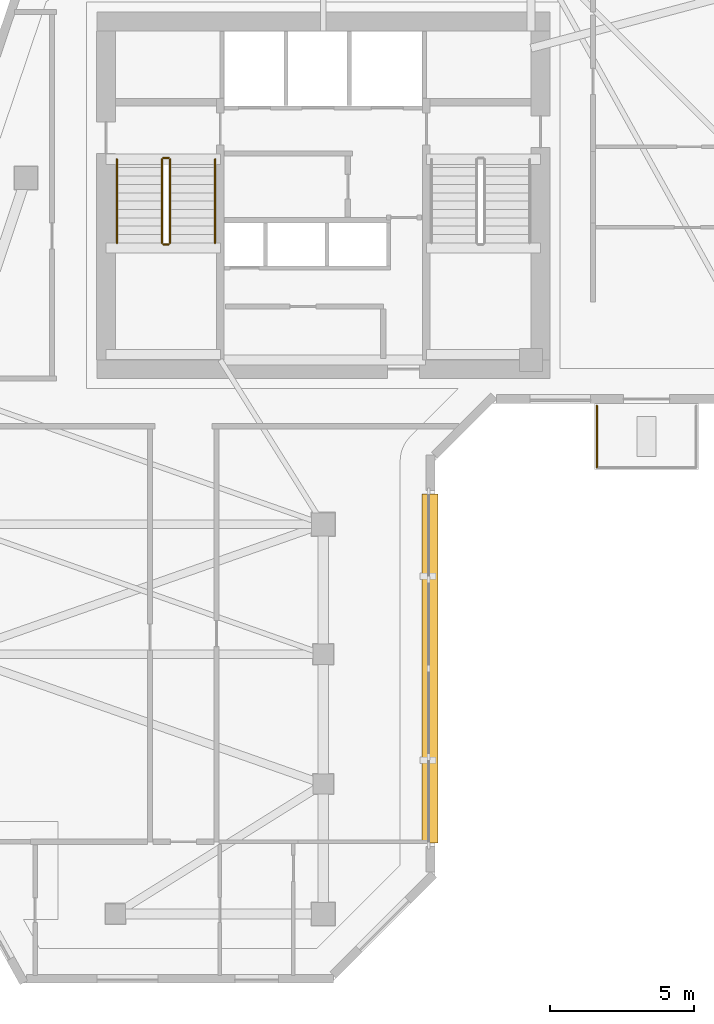
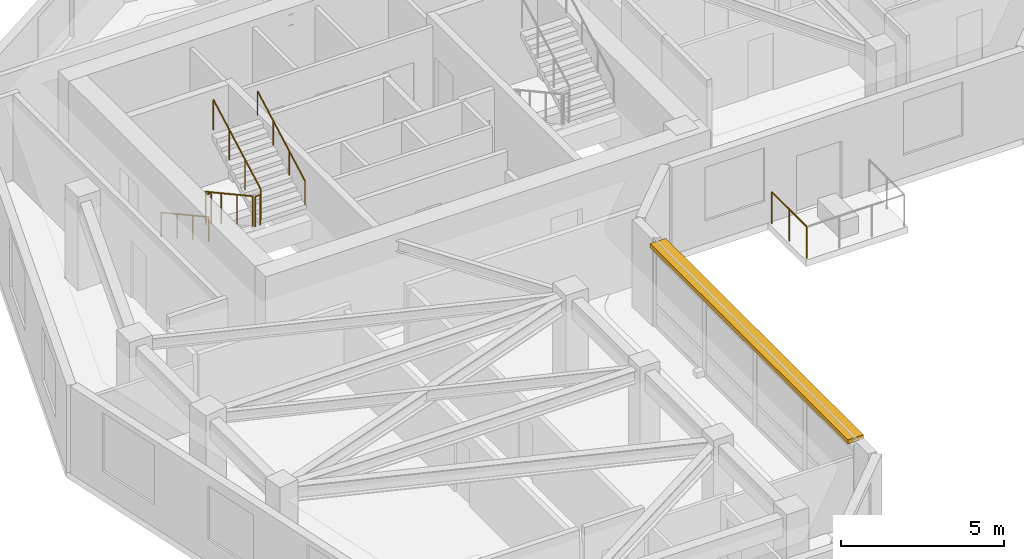
# One storey, part 7 of 9: 7 railings, 1 shading device.
"""IFC4 building model written with IfcOpenShell, lengths in metres."""

from ifc_helpers import new_model, si_unit, direction, frame, frame_2d, origin, origin_2d, place, context, subcontext, project, spatial, rectangle, circle, extrude, material, type_object, element, save


model = new_model("IFC4")

# Units and contexts
model_context = context("Model", 3, precision=1e-05, world=origin(), true_north=direction((0.0, 1.0)))
body_context = subcontext(model_context, "Body", "Model", "MODEL_VIEW")
ifc_project = project(units=[si_unit("LENGTHUNIT", "METRE"), si_unit("AREAUNIT", "SQUARE_METRE"), si_unit("VOLUMEUNIT", "CUBIC_METRE"), si_unit("PLANEANGLEUNIT", "RADIAN"), si_unit("MASSUNIT", "GRAM", prefix="KILO")], contexts=[model_context])

# Site, building, storey
site_placement = place(None, origin())
site = spatial("IfcSite", under=ifc_project, at=site_placement, CompositionType="ELEMENT")
building_placement = place(site_placement, origin())
building = spatial("IfcBuilding", under=site, at=building_placement, Name="Calvemar Wedge Station Tower", CompositionType="ELEMENT")
storey_placement = place(building_placement, frame((0.0, 0.0, 225.39990234375)))
storey = spatial("IfcBuildingStorey", under=building, at=storey_placement, Name="L57", CompositionType="ELEMENT", Elevation=225.39990234375)

# Railings
ifc_material_1 = material(Name="Stainless steel AISI 316L", Category="steel")
railing_type_1 = type_object("IfcRailingType", Name="GRD-TERR-1200", PredefinedType="GUARDRAIL", material=ifc_material_1)
railing_1_placement = place(storey_placement, frame((33.280029296875, 30.471923828125, 0.0)))
element("IfcRailing", 1, at=railing_1_placement, inside=storey, type_object=railing_type_1, Name="Storey L57 Spiral Terrace Guard 4", PredefinedType="GUARDRAIL", context=body_context, shape_type="SweptSolid", body=[
    extrude(circle(Radius=0.02392578125, at=origin_2d()), frame((0.0, 0.0, 1.17578125), z_axis=(0.0, 1.0, 0.0), x_axis=(-1.0, 0.0, 0.0)), (0.0, 0.0, 1.0), 2.14013671875),
    extrude(circle(Radius=0.02099609375, at=origin_2d()), origin(), (0.0, 0.0, 1.0), 1.15185546875),
    extrude(circle(Radius=0.02099609375, at=origin_2d()), frame((0.0, 1.070068359375, 0.0)), (0.0, 0.0, 1.0), 1.15185546875),
    extrude(circle(Radius=0.02099609375, at=origin_2d()), frame((0.0, 2.14013671875, 0.0)), (0.0, 0.0, 1.0), 1.15185546875),
])
railing_type_2 = type_object("IfcRailingType", Name="RL-HANDRAIL-920", PredefinedType="HANDRAIL", material=ifc_material_1)
railing_2_placement = place(storey_placement, frame((16.64990234375, 41.14990234375, 0.1591796875)))
element("IfcRailing", 2, at=railing_2_placement, inside=storey, type_object=railing_type_2, Name="L57 ST-C1 stair handrail 1", PredefinedType="HANDRAIL", context=body_context, shape_type="SweptSolid", body=[
    extrude(circle(Radius=0.02392578125, at=origin_2d()), frame((0.0, 0.0, 0.89599609375), z_axis=(0.0, -0.876742130028, 0.480960744171), x_axis=(1.0, 0.0, 0.0)), (0.0, 0.0, 1.0), 3.3076171875),
    extrude(circle(Radius=0.02099609375, at=origin_2d()), origin(), (0.0, 0.0, 1.0), 0.871826171875),
    extrude(circle(Radius=0.02099609375, at=origin_2d()), frame((0.0, -0.966552734375, 0.5302734375)), (0.0, 0.0, 1.0), 0.871826171875),
    extrude(circle(Radius=0.02099609375, at=origin_2d()), frame((0.0, -1.933349609375, 1.060546875)), (0.0, 0.0, 1.0), 0.871826171875),
    extrude(circle(Radius=0.02099609375, at=origin_2d()), frame((0.0, -2.89990234375, 1.5908203125)), (0.0, 0.0, 1.0), 0.871826171875),
])
railing_3_placement = place(storey_placement, frame((20.050048828125, 38.25, 1.9091796875)))
element("IfcRailing", 3, at=railing_3_placement, inside=storey, type_object=railing_type_2, Name="L57 ST-C1 stair handrail 2", PredefinedType="HANDRAIL", context=body_context, shape_type="SweptSolid", body=[
    extrude(circle(Radius=0.02392578125, at=origin_2d()), frame((0.0, 0.0, 0.89599609375), z_axis=(0.0, 0.876742130028, 0.480960744171), x_axis=(-1.0, 0.0, 0.0)), (0.0, 0.0, 1.0), 3.3076171875),
    extrude(circle(Radius=0.02099609375, at=origin_2d()), origin(), (0.0, 0.0, 1.0), 0.871826171875),
    extrude(circle(Radius=0.02099609375, at=origin_2d()), frame((0.0, 0.966552734375, 0.5302734375)), (0.0, 0.0, 1.0), 0.871826171875),
    extrude(circle(Radius=0.02099609375, at=origin_2d()), frame((0.0, 1.933349609375, 1.060546875)), (0.0, 0.0, 1.0), 0.871826171875),
    extrude(circle(Radius=0.02099609375, at=origin_2d()), frame((0.0, 2.89990234375, 1.5908203125)), (0.0, 0.0, 1.0), 0.871826171875),
])
ifc_material_2 = material(Name="Painted steel guardrail ASTM A500 Grade C", Category="steel")
railing_type_3 = type_object("IfcRailingType", Name="RL-STAIR-GUARD-1150", PredefinedType="GUARDRAIL", material=ifc_material_2)
railing_4_placement = place(storey_placement, frame((18.2099609375, 41.14990234375, 0.1591796875)))
element("IfcRailing", 4, at=railing_4_placement, inside=storey, type_object=railing_type_3, Name="L57 ST-C1 stair guard 1", PredefinedType="GUARDRAIL", context=body_context, shape_type="SweptSolid", body=[
    extrude(circle(Radius=0.02392578125, at=origin_2d()), frame((0.0, 0.0, 1.1259765625), z_axis=(0.0, -0.876742130028, 0.480960744171), x_axis=(1.0, 0.0, 0.0)), (0.0, 0.0, 1.0), 3.3076171875),
    extrude(circle(Radius=0.02099609375, at=origin_2d()), origin(), (0.0, 0.0, 1.0), 1.101806640625),
    extrude(circle(Radius=0.02099609375, at=origin_2d()), frame((0.0, -0.966552734375, 0.5302734375)), (0.0, 0.0, 1.0), 1.101806640625),
    extrude(circle(Radius=0.02099609375, at=origin_2d()), frame((0.0, -1.933349609375, 1.060546875)), (0.0, 0.0, 1.0), 1.101806640625),
    extrude(circle(Radius=0.02099609375, at=origin_2d()), frame((0.0, -2.89990234375, 1.5908203125)), (0.0, 0.0, 1.0), 1.101806640625),
])
railing_5_placement = place(storey_placement, frame((18.260009765625, 38.199951171875, 1.75)))
element("IfcRailing", 5, at=railing_5_placement, inside=storey, type_object=railing_type_3, Name="L57 ST-C1 stair guard 2", PredefinedType="GUARDRAIL", context=body_context, shape_type="SweptSolid", body=[
    extrude(circle(Radius=0.02392578125, at=origin_2d()), frame((0.0, 0.0, 1.1259765625), z_axis=(1.0, 0.0, 0.0), x_axis=(0.0, 1.0, 0.0)), (0.0, 0.0, 1.0), 0.179931640625),
    extrude(circle(Radius=0.02099609375, at=origin_2d()), origin(), (0.0, 0.0, 1.0), 1.101806640625),
    extrude(circle(Radius=0.02099609375, at=origin_2d()), frame((0.179931640625, 0.0, 0.0)), (0.0, 0.0, 1.0), 1.101806640625),
])
railing_6_placement = place(storey_placement, frame((18.489990234375, 38.25, 1.9091796875)))
element("IfcRailing", 6, at=railing_6_placement, inside=storey, type_object=railing_type_3, Name="L57 ST-C1 stair guard 3", PredefinedType="GUARDRAIL", context=body_context, shape_type="SweptSolid", body=[
    extrude(circle(Radius=0.02392578125, at=origin_2d()), frame((0.0, 0.0, 1.1259765625), z_axis=(0.0, 0.876742130028, 0.480960744171), x_axis=(-1.0, 0.0, 0.0)), (0.0, 0.0, 1.0), 3.3076171875),
    extrude(circle(Radius=0.02099609375, at=origin_2d()), origin(), (0.0, 0.0, 1.0), 1.101806640625),
    extrude(circle(Radius=0.02099609375, at=origin_2d()), frame((0.0, 0.966552734375, 0.5302734375)), (0.0, 0.0, 1.0), 1.101806640625),
    extrude(circle(Radius=0.02099609375, at=origin_2d()), frame((0.0, 1.933349609375, 1.060546875)), (0.0, 0.0, 1.0), 1.101806640625),
    extrude(circle(Radius=0.02099609375, at=origin_2d()), frame((0.0, 2.89990234375, 1.5908203125)), (0.0, 0.0, 1.0), 1.101806640625),
])
railing_7_placement = place(storey_placement, frame((18.260009765625, 41.199951171875, 0.0)))
element("IfcRailing", 7, at=railing_7_placement, inside=storey, type_object=railing_type_3, Name="L57 ST-C1 stair guard 4", PredefinedType="GUARDRAIL", context=body_context, shape_type="SweptSolid", body=[
    extrude(circle(Radius=0.02392578125, at=origin_2d()), frame((0.0, 0.0, 1.1259765625), z_axis=(1.0, 0.0, 0.0), x_axis=(0.0, 1.0, 0.0)), (0.0, 0.0, 1.0), 0.179931640625),
    extrude(circle(Radius=0.02099609375, at=origin_2d()), origin(), (0.0, 0.0, 1.0), 1.101806640625),
    extrude(circle(Radius=0.02099609375, at=origin_2d()), frame((0.179931640625, 0.0, 0.0)), (0.0, 0.0, 1.0), 1.101806640625),
])

# Shading device
ifc_material_3 = material(Name="Precast concrete C45", Category="concrete")
shading_device_type = type_object("IfcShadingDeviceType", Name="SHD-EYEBROW-1", PredefinedType="SHUTTER", material=ifc_material_3)
shading_device_placement = place(storey_placement, frame((27.493896484375, 17.462158203125, 3.070068359375), z_axis=(0.0, 0.0, 1.0), x_axis=(0.0, 1.0, 0.0)))
element("IfcShadingDevice", 8, at=shading_device_placement, inside=storey, type_object=shading_device_type, Name="Storey L57 Bronze GFRC Solar Eyebrow 4", PredefinedType="SHUTTER", context=body_context, shape_type="SweptSolid", body=[
    extrude(rectangle(XDim=12.092041015625, YDim=0.550048828125, at=frame_2d((6.0458984375, 0.0))), origin(), (0.0, 0.0, 1.0), 0.159912109375),
])

save(model, "model.ifc")
